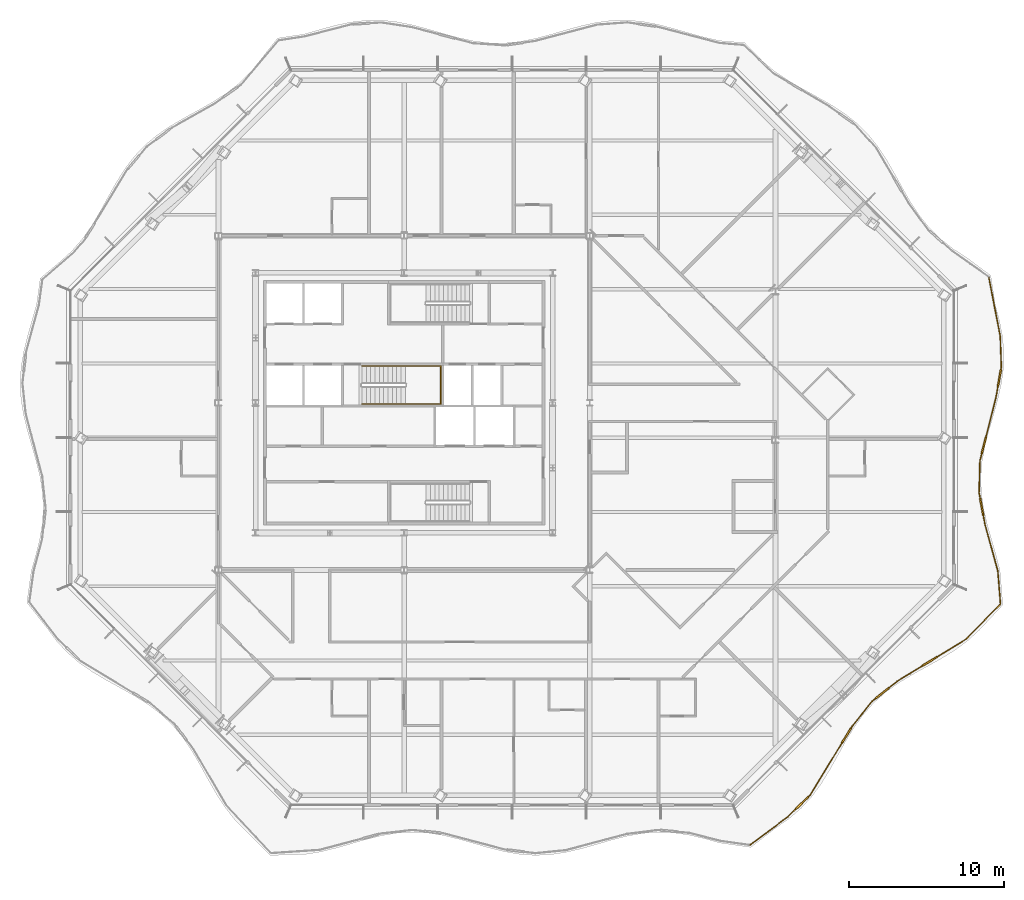
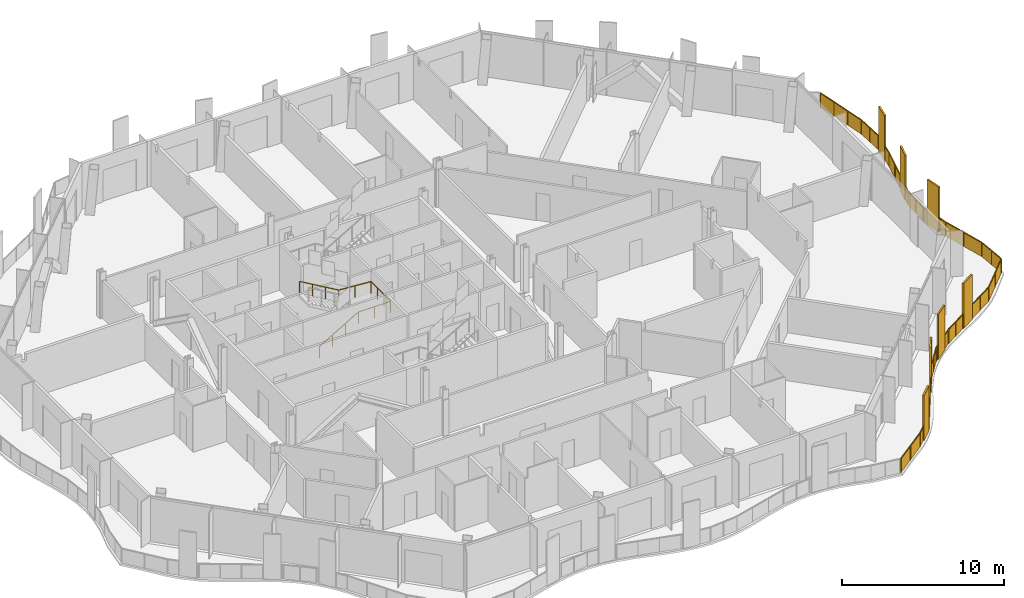
# One storey, part 17 of 19: 3 railings.
"""IFC4 building model written with IfcOpenShell, lengths in metres."""

from ifc_helpers import new_model, si_unit, direction, frame, origin, origin_2d, place, context, subcontext, project, spatial, polyline, rectangle, outline, extrude, material, type_object, element, save


model = new_model("IFC4")

# Units and contexts
model_context = context("Model", 3, precision=1e-05, world=origin(), true_north=direction((0.0, 1.0)))
body_context = subcontext(model_context, "Body", "Model", "MODEL_VIEW")
ifc_project = project(units=[si_unit("LENGTHUNIT", "METRE"), si_unit("AREAUNIT", "SQUARE_METRE"), si_unit("VOLUMEUNIT", "CUBIC_METRE"), si_unit("PLANEANGLEUNIT", "RADIAN"), si_unit("MASSUNIT", "GRAM", prefix="KILO")], contexts=[model_context])

# Site, building, storey
site_placement = place(None, origin())
site = spatial("IfcSite", under=ifc_project, at=site_placement, CompositionType="ELEMENT")
building_placement = place(site_placement, origin())
building = spatial("IfcBuilding", under=site, at=building_placement, Name="Cairn Pilgrim Tower", CompositionType="ELEMENT")
storey_placement = place(building_placement, frame((0.0, 0.0, 197.39990234375)))
storey = spatial("IfcBuildingStorey", under=building, at=storey_placement, Name="L50", CompositionType="ELEMENT", Elevation=197.39990234375)

# Railings
ifc_material_1 = material(Name="Bronze anodised aluminium rail, posts and fin screens with laminated glass infill", Category="aluminium")
railing_type_1 = type_object("IfcRailingType", Name="BALCONY GUARD WITH FIN SCREENS", PredefinedType="GUARDRAIL", material=ifc_material_1)
railing_1_placement = place(storey_placement, frame((29.562744140625, -26.174560546875, 0.0)))
element("IfcRailing", 1, at=railing_1_placement, inside=storey, type_object=railing_type_1, Name="Balcony guard BGF-2 with fin screens", PredefinedType="GUARDRAIL", context=body_context, shape_type="SweptSolid", body=[
    extrude(rectangle(XDim=0.050048828125, YDim=0.050048828125, at=origin_2d()), frame((0.0, 0.0, 1.0751953125), z_axis=(0.800667870418, 0.599108472048, 0.0), x_axis=(-0.599108472048, 0.800667870418, 0.0)), (0.0, 0.0, 1.0), 3.0244140625),
    extrude(rectangle(XDim=1.10009765625, YDim=0.110107421875, at=origin_2d()), frame((3.361572265625, 2.7216796875, 0.0), z_axis=(0.0, 0.0, 1.0), x_axis=(0.718621739595, 0.695401175856, 0.0)), (0.0, 0.0, 1.0), 3.39990234375),
    extrude(rectangle(XDim=0.050048828125, YDim=0.050048828125, at=origin_2d()), frame((2.421630859375, 1.81201171875, 1.0751953125), z_axis=(0.718621739595, 0.695401175856, 0.0), x_axis=(-0.695401175856, 0.718621739595, 0.0)), (0.0, 0.0, 1.0), 0.758056640625),
    extrude(rectangle(XDim=0.050048828125, YDim=0.050048828125, at=origin_2d()), frame((3.7568359375, 3.104248046875, 1.0751953125), z_axis=(0.718621739595, 0.695401175856, 0.0), x_axis=(-0.695401175856, 0.718621739595, 0.0)), (0.0, 0.0, 1.0), 0.150146484375),
    extrude(rectangle(XDim=1.10009765625, YDim=0.110107421875, at=origin_2d()), frame((6.2255859375, 7.072021484375, 0.0), z_axis=(0.0, 0.0, 1.0), x_axis=(0.521408450848, 0.853307229188, 0.0)), (0.0, 0.0, 1.0), 3.39990234375),
    extrude(rectangle(XDim=0.050048828125, YDim=0.050048828125, at=origin_2d()), frame((3.86474609375, 3.20849609375, 1.0751953125), z_axis=(0.521408450848, 0.853307229188, 0.0), x_axis=(-0.853307229188, 0.521408450848, 0.0)), (0.0, 0.0, 1.0), 3.977783203125),
    extrude(rectangle(XDim=0.050048828125, YDim=0.050048828125, at=origin_2d()), frame((6.51220703125, 7.541259765625, 1.0751953125), z_axis=(0.521408450848, 0.853307229188, 0.0), x_axis=(-0.853307229188, 0.521408450848, 0.0)), (0.0, 0.0, 1.0), 0.150146484375),
    extrude(rectangle(XDim=0.050048828125, YDim=0.050048828125, at=origin_2d()), frame((6.590576171875, 7.66943359375, 1.0751953125), z_axis=(0.624336311153, 0.781155663473, 0.0), x_axis=(-0.781155663473, 0.624336311153, 0.0)), (0.0, 0.0, 1.0), 2.0751953125),
    extrude(rectangle(XDim=1.10009765625, YDim=0.110107421875, at=origin_2d()), frame((8.52197265625, 9.798583984375, 0.0), z_axis=(0.0, 0.0, 1.0), x_axis=(0.781201514264, 0.624278939346, 0.0)), (0.0, 0.0, 1.0), 3.39990234375),
    extrude(rectangle(XDim=0.050048828125, YDim=0.050048828125, at=origin_2d()), frame((7.88623046875, 9.29052734375, 1.0751953125), z_axis=(0.781201514264, 0.624278939346, 0.0), x_axis=(-0.624278939346, 0.781201514264, 0.0)), (0.0, 0.0, 1.0), 0.263916015625),
    extrude(rectangle(XDim=0.050048828125, YDim=0.050048828125, at=origin_2d()), frame((8.95166015625, 10.141845703125, 1.0751953125), z_axis=(0.781201514264, 0.624278939346, 0.0), x_axis=(-0.624278939346, 0.781201514264, 0.0)), (0.0, 0.0, 1.0), 0.711669921875),
    extrude(rectangle(XDim=1.10009765625, YDim=0.110107421875, at=origin_2d()), frame((11.601806640625, 11.865966796875, 0.0), z_axis=(0.0, 0.0, 1.0), x_axis=(0.853299147898, 0.521421675994, 0.0)), (0.0, 0.0, 1.0), 3.39990234375),
    extrude(rectangle(XDim=0.050048828125, YDim=0.050048828125, at=origin_2d()), frame((9.507568359375, 10.586181640625, 1.0751953125), z_axis=(0.853299147898, 0.521421675994, 0.0), x_axis=(-0.521421675994, 0.853299147898, 0.0)), (0.0, 0.0, 1.0), 1.904296875),
    extrude(rectangle(XDim=0.050048828125, YDim=0.050048828125, at=origin_2d()), frame((12.071044921875, 12.152587890625, 1.0751953125), z_axis=(0.853299147898, 0.521421675994, 0.0), x_axis=(-0.521421675994, 0.853299147898, 0.0)), (0.0, 0.0, 1.0), 2.223876953125),
    extrude(rectangle(XDim=0.050048828125, YDim=0.050048828125, at=origin_2d()), frame((13.96875, 13.312255859375, 1.0751953125), z_axis=(0.699745389535, 0.714392322064, 0.0), x_axis=(-0.714392322064, 0.699745389535, 0.0)), (0.0, 0.0, 1.0), 3.100341796875),
    extrude(rectangle(XDim=0.050048828125, YDim=0.050048828125, at=origin_2d()), origin(), (0.0, 0.0, 1.0), 1.050048828125),
    extrude(rectangle(XDim=0.050048828125, YDim=0.050048828125, at=origin_2d()), frame((1.2109375, 0.906005859375, 0.0)), (0.0, 0.0, 1.0), 1.050048828125),
    extrude(rectangle(XDim=0.050048828125, YDim=0.050048828125, at=origin_2d()), frame((2.421630859375, 1.81201171875, 0.0)), (0.0, 0.0, 1.0), 1.050048828125),
    extrude(rectangle(XDim=0.050048828125, YDim=0.050048828125, at=origin_2d()), frame((2.948486328125, 2.32177734375, 0.0)), (0.0, 0.0, 1.0), 1.050048828125),
    extrude(rectangle(XDim=0.050048828125, YDim=0.050048828125, at=origin_2d()), frame((3.77490234375, 3.12158203125, 0.0)), (0.0, 0.0, 1.0), 1.050048828125),
    extrude(rectangle(XDim=0.050048828125, YDim=0.050048828125, at=origin_2d()), frame((3.86474609375, 3.20849609375, 0.0)), (0.0, 0.0, 1.0), 1.050048828125),
    extrude(rectangle(XDim=0.050048828125, YDim=0.050048828125, at=origin_2d()), frame((4.5517578125, 4.332763671875, 0.0)), (0.0, 0.0, 1.0), 1.050048828125),
    extrude(rectangle(XDim=0.050048828125, YDim=0.050048828125, at=origin_2d()), frame((5.23876953125, 5.45703125, 0.0)), (0.0, 0.0, 1.0), 1.050048828125),
    extrude(rectangle(XDim=0.050048828125, YDim=0.050048828125, at=origin_2d()), frame((5.92578125, 6.581298828125, 0.0)), (0.0, 0.0, 1.0), 1.050048828125),
    extrude(rectangle(XDim=0.050048828125, YDim=0.050048828125, at=origin_2d()), frame((6.525390625, 7.562744140625, 0.0)), (0.0, 0.0, 1.0), 1.050048828125),
    extrude(rectangle(XDim=0.050048828125, YDim=0.050048828125, at=origin_2d()), frame((6.590576171875, 7.66943359375, 0.0)), (0.0, 0.0, 1.0), 1.050048828125),
    extrude(rectangle(XDim=0.050048828125, YDim=0.050048828125, at=origin_2d()), frame((7.23828125, 8.47998046875, 0.0)), (0.0, 0.0, 1.0), 1.050048828125),
    extrude(rectangle(XDim=0.050048828125, YDim=0.050048828125, at=origin_2d()), frame((7.88623046875, 9.29052734375, 0.0)), (0.0, 0.0, 1.0), 1.050048828125),
    extrude(rectangle(XDim=0.050048828125, YDim=0.050048828125, at=origin_2d()), frame((8.07275390625, 9.439697265625, 0.0)), (0.0, 0.0, 1.0), 1.050048828125),
    extrude(rectangle(XDim=0.050048828125, YDim=0.050048828125, at=origin_2d()), frame((8.97119140625, 10.157470703125, 0.0)), (0.0, 0.0, 1.0), 1.050048828125),
    extrude(rectangle(XDim=0.050048828125, YDim=0.050048828125, at=origin_2d()), frame((9.507568359375, 10.586181640625, 0.0)), (0.0, 0.0, 1.0), 1.050048828125),
    extrude(rectangle(XDim=0.050048828125, YDim=0.050048828125, at=origin_2d()), frame((10.309326171875, 11.076171875, 0.0)), (0.0, 0.0, 1.0), 1.050048828125),
    extrude(rectangle(XDim=0.050048828125, YDim=0.050048828125, at=origin_2d()), frame((11.111083984375, 11.566162109375, 0.0)), (0.0, 0.0, 1.0), 1.050048828125),
    extrude(rectangle(XDim=0.050048828125, YDim=0.050048828125, at=origin_2d()), frame((12.092529296875, 12.165771484375, 0.0)), (0.0, 0.0, 1.0), 1.050048828125),
    extrude(rectangle(XDim=0.050048828125, YDim=0.050048828125, at=origin_2d()), frame((13.030517578125, 12.739013671875, 0.0)), (0.0, 0.0, 1.0), 1.050048828125),
    extrude(rectangle(XDim=0.050048828125, YDim=0.050048828125, at=origin_2d()), frame((13.96875, 13.312255859375, 0.0)), (0.0, 0.0, 1.0), 1.050048828125),
    extrude(rectangle(XDim=0.050048828125, YDim=0.050048828125, at=origin_2d()), frame((15.053466796875, 14.419677734375, 0.0)), (0.0, 0.0, 1.0), 1.050048828125),
    extrude(rectangle(XDim=0.050048828125, YDim=0.050048828125, at=origin_2d()), frame((16.13818359375, 15.527099609375, 0.0)), (0.0, 0.0, 1.0), 1.050048828125),
    extrude(outline(polyline([(0.02490234375, 0.0), (1.4873046875, 0.0), (1.4873046875, 1.050048828125), (0.02490234375, 1.050048828125), (0.02490234375, 0.0)])), frame((-0.003662109375, 0.0048828125, 0.0), z_axis=(0.599108472048, -0.800667870418, 0.0), x_axis=(0.800667870418, 0.599108472048, 0.0)), (0.0, 0.0, 1.0), 0.011962890625),
    extrude(outline(polyline([(0.02490234375, 0.0), (1.4873046875, 0.0), (1.4873046875, 1.050048828125), (0.02490234375, 1.050048828125), (0.02490234375, 0.0)])), frame((1.207275390625, 0.910888671875, 0.0), z_axis=(0.599108472048, -0.800667870418, 0.0), x_axis=(0.800667870418, 0.599108472048, 0.0)), (0.0, 0.0, 1.0), 0.011962890625),
    extrude(outline(polyline([(0.02490234375, 0.0), (0.7080078125, 0.0), (0.7080078125, 1.050048828125), (0.02490234375, 1.050048828125), (0.02490234375, 0.0)])), frame((2.41748046875, 1.81640625, 0.0), z_axis=(0.695401175856, -0.718621739595, 0.0), x_axis=(0.718621739595, 0.695401175856, 0.0)), (0.0, 0.0, 1.0), 0.011962890625),
    extrude(outline(polyline([(0.02490234375, 0.0), (0.10009765625, 0.0), (0.10009765625, 1.050048828125), (0.02490234375, 1.050048828125), (0.02490234375, 0.0)])), frame((3.770751953125, 3.125732421875, 0.0), z_axis=(0.695401175856, -0.718621739595, 0.0), x_axis=(0.718621739595, 0.695401175856, 0.0)), (0.0, 0.0, 1.0), 0.011962890625),
    extrude(outline(polyline([(0.02490234375, 0.0), (1.29248046875, 0.0), (1.29248046875, 1.050048828125), (0.02490234375, 1.050048828125), (0.02490234375, 0.0)])), frame((3.859619140625, 3.211669921875, 0.0), z_axis=(0.853307229188, -0.521408450848, 0.0), x_axis=(0.521408450848, 0.853307229188, 0.0)), (0.0, 0.0, 1.0), 0.011962890625),
    extrude(outline(polyline([(0.02490234375, 0.0), (1.29248046875, 0.0), (1.29248046875, 1.050048828125), (0.02490234375, 1.050048828125), (0.02490234375, 0.0)])), frame((4.546630859375, 4.3359375, 0.0), z_axis=(0.853307229188, -0.521408450848, 0.0), x_axis=(0.521408450848, 0.853307229188, 0.0)), (0.0, 0.0, 1.0), 0.011962890625),
    extrude(outline(polyline([(0.02490234375, 0.0), (1.29248046875, 0.0), (1.29248046875, 1.050048828125), (0.02490234375, 1.050048828125), (0.02490234375, 0.0)])), frame((5.233642578125, 5.460205078125, 0.0), z_axis=(0.853307229188, -0.521408450848, 0.0), x_axis=(0.521408450848, 0.853307229188, 0.0)), (0.0, 0.0, 1.0), 0.011962890625),
    extrude(outline(polyline([(0.02490234375, 0.0), (0.10009765625, 0.0), (0.10009765625, 1.050048828125), (0.02490234375, 1.050048828125), (0.02490234375, 0.0)])), frame((6.520263671875, 7.56591796875, 0.0), z_axis=(0.853307229188, -0.521408450848, 0.0), x_axis=(0.521408450848, 0.853307229188, 0.0)), (0.0, 0.0, 1.0), 0.011962890625),
    extrude(outline(polyline([(0.02490234375, 0.0), (1.0126953125, 0.0), (1.0126953125, 1.050048828125), (0.02490234375, 1.050048828125), (0.02490234375, 0.0)])), frame((6.5859375, 7.673095703125, 0.0), z_axis=(0.781155663473, -0.624336311153, 0.0), x_axis=(0.624336311153, 0.781155663473, 0.0)), (0.0, 0.0, 1.0), 0.011962890625),
    extrude(outline(polyline([(0.02490234375, 0.0), (1.0126953125, 0.0), (1.0126953125, 1.050048828125), (0.02490234375, 1.050048828125), (0.02490234375, 0.0)])), frame((7.233642578125, 8.483642578125, 0.0), z_axis=(0.781155663473, -0.624336311153, 0.0), x_axis=(0.624336311153, 0.781155663473, 0.0)), (0.0, 0.0, 1.0), 0.011962890625),
    extrude(outline(polyline([(0.02490234375, 0.0), (0.2138671875, 0.0), (0.2138671875, 1.050048828125), (0.02490234375, 1.050048828125), (0.02490234375, 0.0)])), frame((7.882568359375, 9.295166015625, 0.0), z_axis=(0.624278939346, -0.781201514264, 0.0), x_axis=(0.781201514264, 0.624278939346, 0.0)), (0.0, 0.0, 1.0), 0.011962890625),
    extrude(outline(polyline([(0.02490234375, 0.0), (0.66162109375, 0.0), (0.66162109375, 1.050048828125), (0.02490234375, 1.050048828125), (0.02490234375, 0.0)])), frame((8.967529296875, 10.162353515625, 0.0), z_axis=(0.624278939346, -0.781201514264, 0.0), x_axis=(0.781201514264, 0.624278939346, 0.0)), (0.0, 0.0, 1.0), 0.011962890625),
    extrude(outline(polyline([(0.02490234375, 0.0), (0.91455078125, 0.0), (0.91455078125, 1.050048828125), (0.02490234375, 1.050048828125), (0.02490234375, 0.0)])), frame((9.50439453125, 10.59130859375, 0.0), z_axis=(0.521421675994, -0.853299147898, 0.0), x_axis=(0.853299147898, 0.521421675994, 0.0)), (0.0, 0.0, 1.0), 0.011962890625),
    extrude(outline(polyline([(0.02490234375, 0.0), (0.91455078125, 0.0), (0.91455078125, 1.050048828125), (0.02490234375, 1.050048828125), (0.02490234375, 0.0)])), frame((10.30615234375, 11.081298828125, 0.0), z_axis=(0.521421675994, -0.853299147898, 0.0), x_axis=(0.853299147898, 0.521421675994, 0.0)), (0.0, 0.0, 1.0), 0.011962890625),
    extrude(outline(polyline([(0.02490234375, 0.0), (1.074462890625, 0.0), (1.074462890625, 1.050048828125), (0.02490234375, 1.050048828125), (0.02490234375, 0.0)])), frame((12.08935546875, 12.1708984375, 0.0), z_axis=(0.521421675994, -0.853299147898, 0.0), x_axis=(0.853299147898, 0.521421675994, 0.0)), (0.0, 0.0, 1.0), 0.011962890625),
    extrude(outline(polyline([(0.02490234375, 0.0), (1.074462890625, 0.0), (1.074462890625, 1.050048828125), (0.02490234375, 1.050048828125), (0.02490234375, 0.0)])), frame((13.027587890625, 12.744140625, 0.0), z_axis=(0.521421675994, -0.853299147898, 0.0), x_axis=(0.853299147898, 0.521421675994, 0.0)), (0.0, 0.0, 1.0), 0.011962890625),
    extrude(outline(polyline([(0.02490234375, 0.0), (1.525146484375, 0.0), (1.525146484375, 1.050048828125), (0.02490234375, 1.050048828125), (0.02490234375, 0.0)])), frame((13.96435546875, 13.31640625, 0.0), z_axis=(0.714392322064, -0.699745389535, 0.0), x_axis=(0.699745389535, 0.714392322064, 0.0)), (0.0, 0.0, 1.0), 0.011962890625),
    extrude(outline(polyline([(0.02490234375, 0.0), (1.525146484375, 0.0), (1.525146484375, 1.050048828125), (0.02490234375, 1.050048828125), (0.02490234375, 0.0)])), frame((15.049072265625, 14.423828125, 0.0), z_axis=(0.714392322064, -0.699745389535, 0.0), x_axis=(0.699745389535, 0.714392322064, 0.0)), (0.0, 0.0, 1.0), 0.011962890625),
])
railing_2_placement = place(storey_placement, frame((45.742919921875, -10.604736328125, 0.0)))
element("IfcRailing", 2, at=railing_2_placement, inside=storey, type_object=railing_type_1, Name="Balcony guard BGF-3 with fin screens", PredefinedType="GUARDRAIL", context=body_context, shape_type="SweptSolid", body=[
    extrude(rectangle(XDim=0.050048828125, YDim=0.050048828125, at=origin_2d()), frame((0.0, 0.0, 1.0751953125), z_axis=(-0.080880010732, 0.996723845337, 0.0), x_axis=(-0.996723845337, -0.080880010732, 0.0)), (0.0, 0.0, 1.0), 2.146240234375),
    extrude(rectangle(XDim=0.050048828125, YDim=0.050048828125, at=origin_2d()), frame((-0.173583984375, 2.13916015625, 1.0751953125), z_axis=(-0.265559861209, 0.964094373034, 0.0), x_axis=(-0.964094373034, -0.265559861209, 0.0)), (0.0, 0.0, 1.0), 3.13671875),
    extrude(rectangle(XDim=1.10009765625, YDim=0.110107421875, at=origin_2d()), frame((-1.21435546875, 6.287841796875, 0.0), z_axis=(0.0, 0.0, 1.0), x_axis=(-0.181697850402, 0.983354407708, 0.0)), (0.0, 0.0, 1.0), 3.39990234375),
    extrude(rectangle(XDim=0.050048828125, YDim=0.050048828125, at=origin_2d()), frame((-1.006591796875, 5.163330078125, 1.0751953125), z_axis=(-0.181697850402, 0.983354407708, 0.0), x_axis=(-0.983354407708, -0.181697850402, 0.0)), (0.0, 0.0, 1.0), 0.593505859375),
    extrude(rectangle(XDim=0.050048828125, YDim=0.050048828125, at=origin_2d()), frame((-1.314208984375, 6.828857421875, 1.0751953125), z_axis=(-0.181697850402, 0.983354407708, 0.0), x_axis=(-0.983354407708, -0.181697850402, 0.0)), (0.0, 0.0, 1.0), 0.3837890625),
    extrude(rectangle(XDim=0.050048828125, YDim=0.050048828125, at=origin_2d()), frame((-1.384033203125, 7.2060546875, 1.0751953125), z_axis=(0.026737940728, 0.999642477352, 0.0), x_axis=(-0.999642477352, 0.026737940728, 0.0)), (0.0, 0.0, 1.0), 2.054443359375),
    extrude(rectangle(XDim=1.10009765625, YDim=0.110107421875, at=origin_2d()), frame((-1.074951171875, 10.261474609375, 0.0), z_axis=(0.0, 0.0, 1.0), x_axis=(0.245982331088, 0.969274312459, 0.0)), (0.0, 0.0, 1.0), 3.39990234375),
    extrude(rectangle(XDim=0.050048828125, YDim=0.050048828125, at=origin_2d()), frame((-1.3291015625, 9.259765625, 1.0751953125), z_axis=(0.245982331088, 0.969274312459, 0.0), x_axis=(-0.969274312459, 0.245982331088, 0.0)), (0.0, 0.0, 1.0), 0.4833984375),
    extrude(rectangle(XDim=0.050048828125, YDim=0.050048828125, at=origin_2d()), frame((-0.939697265625, 10.794677734375, 1.0751953125), z_axis=(0.245982331088, 0.969274312459, 0.0), x_axis=(-0.969274312459, 0.245982331088, 0.0)), (0.0, 0.0, 1.0), 2.597900390625),
    extrude(rectangle(XDim=1.10009765625, YDim=0.110107421875, at=origin_2d()), frame((-0.06787109375, 14.623291015625, 0.0), z_axis=(0.0, 0.0, 1.0), x_axis=(0.174779567013, 0.984607588309, 0.0)), (0.0, 0.0, 1.0), 3.39990234375),
    extrude(rectangle(XDim=0.050048828125, YDim=0.050048828125, at=origin_2d()), frame((-0.300537109375, 13.312744140625, 1.0751953125), z_axis=(0.174779567013, 0.984607588309, 0.0), x_axis=(-0.984607588309, 0.174779567013, 0.0)), (0.0, 0.0, 1.0), 0.781005859375),
    extrude(rectangle(XDim=0.050048828125, YDim=0.050048828125, at=origin_2d()), frame((0.0283203125, 15.164794921875, 1.0751953125), z_axis=(0.174779567013, 0.984607588309, 0.0), x_axis=(-0.984607588309, 0.174779567013, 0.0)), (0.0, 0.0, 1.0), 0.14990234375),
    extrude(rectangle(XDim=0.050048828125, YDim=0.050048828125, at=origin_2d()), frame((0.054443359375, 15.3125, 1.0751953125), z_axis=(-0.03622406725, 0.999343693107, 0.0), x_axis=(-0.999343693107, -0.03622406725, 0.0)), (0.0, 0.0, 1.0), 1.994873046875),
    extrude(rectangle(XDim=0.050048828125, YDim=0.050048828125, at=origin_2d()), frame((-0.017822265625, 17.30615234375, 1.0751953125), z_axis=(-0.189567572533, 0.981867677156, 0.0), x_axis=(-0.981867677156, -0.189567572533, 0.0)), (0.0, 0.0, 1.0), 3.85986328125),
    extrude(rectangle(XDim=0.050048828125, YDim=0.050048828125, at=origin_2d()), origin(), (0.0, 0.0, 1.0), 1.050048828125),
    extrude(rectangle(XDim=0.050048828125, YDim=0.050048828125, at=origin_2d()), frame((-0.0869140625, 1.069580078125, 0.0)), (0.0, 0.0, 1.0), 1.050048828125),
    extrude(rectangle(XDim=0.050048828125, YDim=0.050048828125, at=origin_2d()), frame((-0.173583984375, 2.13916015625, 0.0)), (0.0, 0.0, 1.0), 1.050048828125),
    extrude(rectangle(XDim=0.050048828125, YDim=0.050048828125, at=origin_2d()), frame((-0.590087890625, 3.6513671875, 0.0)), (0.0, 0.0, 1.0), 1.050048828125),
    extrude(rectangle(XDim=0.050048828125, YDim=0.050048828125, at=origin_2d()), frame((-1.006591796875, 5.163330078125, 0.0)), (0.0, 0.0, 1.0), 1.050048828125),
    extrude(rectangle(XDim=0.050048828125, YDim=0.050048828125, at=origin_2d()), frame((-1.10986328125, 5.722412109375, 0.0)), (0.0, 0.0, 1.0), 1.050048828125),
    extrude(rectangle(XDim=0.050048828125, YDim=0.050048828125, at=origin_2d()), frame((-1.31884765625, 6.853271484375, 0.0)), (0.0, 0.0, 1.0), 1.050048828125),
    extrude(rectangle(XDim=0.050048828125, YDim=0.050048828125, at=origin_2d()), frame((-1.384033203125, 7.2060546875, 0.0)), (0.0, 0.0, 1.0), 1.050048828125),
    extrude(rectangle(XDim=0.050048828125, YDim=0.050048828125, at=origin_2d()), frame((-1.3564453125, 8.23291015625, 0.0)), (0.0, 0.0, 1.0), 1.050048828125),
    extrude(rectangle(XDim=0.050048828125, YDim=0.050048828125, at=origin_2d()), frame((-1.3291015625, 9.259765625, 0.0)), (0.0, 0.0, 1.0), 1.050048828125),
    extrude(rectangle(XDim=0.050048828125, YDim=0.050048828125, at=origin_2d()), frame((-1.21630859375, 9.7041015625, 0.0)), (0.0, 0.0, 1.0), 1.050048828125),
    extrude(rectangle(XDim=0.050048828125, YDim=0.050048828125, at=origin_2d()), frame((-0.933349609375, 10.81884765625, 0.0)), (0.0, 0.0, 1.0), 1.050048828125),
    extrude(rectangle(XDim=0.050048828125, YDim=0.050048828125, at=origin_2d()), frame((-0.616943359375, 12.065673828125, 0.0)), (0.0, 0.0, 1.0), 1.050048828125),
    extrude(rectangle(XDim=0.050048828125, YDim=0.050048828125, at=origin_2d()), frame((-0.300537109375, 13.312744140625, 0.0)), (0.0, 0.0, 1.0), 1.050048828125),
    extrude(rectangle(XDim=0.050048828125, YDim=0.050048828125, at=origin_2d()), frame((-0.16845703125, 14.05712890625, 0.0)), (0.0, 0.0, 1.0), 1.050048828125),
    extrude(rectangle(XDim=0.050048828125, YDim=0.050048828125, at=origin_2d()), frame((0.03271484375, 15.189453125, 0.0)), (0.0, 0.0, 1.0), 1.050048828125),
    extrude(rectangle(XDim=0.050048828125, YDim=0.050048828125, at=origin_2d()), frame((0.054443359375, 15.3125, 0.0)), (0.0, 0.0, 1.0), 1.050048828125),
    extrude(rectangle(XDim=0.050048828125, YDim=0.050048828125, at=origin_2d()), frame((0.018310546875, 16.309326171875, 0.0)), (0.0, 0.0, 1.0), 1.050048828125),
    extrude(rectangle(XDim=0.050048828125, YDim=0.050048828125, at=origin_2d()), frame((-0.017822265625, 17.30615234375, 0.0)), (0.0, 0.0, 1.0), 1.050048828125),
    extrude(rectangle(XDim=0.050048828125, YDim=0.050048828125, at=origin_2d()), frame((-0.26171875, 18.5693359375, 0.0)), (0.0, 0.0, 1.0), 1.050048828125),
    extrude(rectangle(XDim=0.050048828125, YDim=0.050048828125, at=origin_2d()), frame((-0.505615234375, 19.832763671875, 0.0)), (0.0, 0.0, 1.0), 1.050048828125),
    extrude(rectangle(XDim=0.050048828125, YDim=0.050048828125, at=origin_2d()), frame((-0.74951171875, 21.095947265625, 0.0)), (0.0, 0.0, 1.0), 1.050048828125),
    extrude(outline(polyline([(0.02490234375, 0.0), (1.048095703125, 0.0), (1.048095703125, 1.050048828125), (0.02490234375, 1.050048828125), (0.02490234375, 0.0)])), frame((-0.005859375, -0.00048828125, 0.0), z_axis=(0.996723845337, 0.080880010732, 0.0), x_axis=(-0.080880010732, 0.996723845337, 0.0)), (0.0, 0.0, 1.0), 0.011962890625),
    extrude(outline(polyline([(0.02490234375, 0.0), (1.048095703125, 0.0), (1.048095703125, 1.050048828125), (0.02490234375, 1.050048828125), (0.02490234375, 0.0)])), frame((-0.0927734375, 1.069091796875, 0.0), z_axis=(0.996723845337, 0.080880010732, 0.0), x_axis=(-0.080880010732, 0.996723845337, 0.0)), (0.0, 0.0, 1.0), 0.011962890625),
    extrude(outline(polyline([(0.02490234375, 0.0), (1.54345703125, 0.0), (1.54345703125, 1.050048828125), (0.02490234375, 1.050048828125), (0.02490234375, 0.0)])), frame((-0.179443359375, 2.137451171875, 0.0), z_axis=(0.964094373034, 0.265559861209, 0.0), x_axis=(-0.265559861209, 0.964094373034, 0.0)), (0.0, 0.0, 1.0), 0.011962890625),
    extrude(outline(polyline([(0.02490234375, 0.0), (1.54345703125, 0.0), (1.54345703125, 1.050048828125), (0.02490234375, 1.050048828125), (0.02490234375, 0.0)])), frame((-0.595947265625, 3.649658203125, 0.0), z_axis=(0.964094373034, 0.265559861209, 0.0), x_axis=(-0.265559861209, 0.964094373034, 0.0)), (0.0, 0.0, 1.0), 0.011962890625),
    extrude(outline(polyline([(0.02490234375, 0.0), (0.54345703125, 0.0), (0.54345703125, 1.050048828125), (0.02490234375, 1.050048828125), (0.02490234375, 0.0)])), frame((-1.012451171875, 5.162353515625, 0.0), z_axis=(0.983354407708, 0.181697850402, 0.0), x_axis=(-0.181697850402, 0.983354407708, 0.0)), (0.0, 0.0, 1.0), 0.011962890625),
    extrude(outline(polyline([(0.02490234375, 0.0), (0.333740234375, 0.0), (0.333740234375, 1.050048828125), (0.02490234375, 1.050048828125), (0.02490234375, 0.0)])), frame((-1.32470703125, 6.852294921875, 0.0), z_axis=(0.983354407708, 0.181697850402, 0.0), x_axis=(-0.181697850402, 0.983354407708, 0.0)), (0.0, 0.0, 1.0), 0.011962890625),
    extrude(outline(polyline([(0.02490234375, 0.0), (1.002197265625, 0.0), (1.002197265625, 1.050048828125), (0.02490234375, 1.050048828125), (0.02490234375, 0.0)])), frame((-1.389892578125, 7.206298828125, 0.0), z_axis=(0.999642477352, -0.026737940728, 0.0), x_axis=(0.026737940728, 0.999642477352, 0.0)), (0.0, 0.0, 1.0), 0.011962890625),
    extrude(outline(polyline([(0.02490234375, 0.0), (1.002197265625, 0.0), (1.002197265625, 1.050048828125), (0.02490234375, 1.050048828125), (0.02490234375, 0.0)])), frame((-1.362548828125, 8.233154296875, 0.0), z_axis=(0.999642477352, -0.026737940728, 0.0), x_axis=(0.026737940728, 0.999642477352, 0.0)), (0.0, 0.0, 1.0), 0.011962890625),
    extrude(outline(polyline([(0.02490234375, 0.0), (0.433349609375, 0.0), (0.433349609375, 1.050048828125), (0.02490234375, 1.050048828125), (0.02490234375, 0.0)])), frame((-1.3349609375, 9.26123046875, 0.0), z_axis=(0.969274312459, -0.245982331088, 0.0), x_axis=(0.245982331088, 0.969274312459, 0.0)), (0.0, 0.0, 1.0), 0.011962890625),
    extrude(outline(polyline([(0.02490234375, 0.0), (1.261474609375, 0.0), (1.261474609375, 1.050048828125), (0.02490234375, 1.050048828125), (0.02490234375, 0.0)])), frame((-0.939208984375, 10.8203125, 0.0), z_axis=(0.969274312459, -0.245982331088, 0.0), x_axis=(0.245982331088, 0.969274312459, 0.0)), (0.0, 0.0, 1.0), 0.011962890625),
    extrude(outline(polyline([(0.02490234375, 0.0), (1.261474609375, 0.0), (1.261474609375, 1.050048828125), (0.02490234375, 1.050048828125), (0.02490234375, 0.0)])), frame((-0.622802734375, 12.067138671875, 0.0), z_axis=(0.969274312459, -0.245982331088, 0.0), x_axis=(0.245982331088, 0.969274312459, 0.0)), (0.0, 0.0, 1.0), 0.011962890625),
    extrude(outline(polyline([(0.02490234375, 0.0), (0.73095703125, 0.0), (0.73095703125, 1.050048828125), (0.02490234375, 1.050048828125), (0.02490234375, 0.0)])), frame((-0.306396484375, 13.313720703125, 0.0), z_axis=(0.984607588309, -0.174779567013, 0.0), x_axis=(0.174779567013, 0.984607588309, 0.0)), (0.0, 0.0, 1.0), 0.011962890625),
    extrude(outline(polyline([(0.02490234375, 0.0), (0.099853515625, 0.0), (0.099853515625, 1.050048828125), (0.02490234375, 1.050048828125), (0.02490234375, 0.0)])), frame((0.026611328125, 15.1904296875, 0.0), z_axis=(0.984607588309, -0.174779567013, 0.0), x_axis=(0.174779567013, 0.984607588309, 0.0)), (0.0, 0.0, 1.0), 0.011962890625),
    extrude(outline(polyline([(0.02490234375, 0.0), (0.972412109375, 0.0), (0.972412109375, 1.050048828125), (0.02490234375, 1.050048828125), (0.02490234375, 0.0)])), frame((0.048583984375, 15.312255859375, 0.0), z_axis=(0.999343693107, 0.03622406725, 0.0), x_axis=(-0.03622406725, 0.999343693107, 0.0)), (0.0, 0.0, 1.0), 0.011962890625),
    extrude(outline(polyline([(0.02490234375, 0.0), (0.972412109375, 0.0), (0.972412109375, 1.050048828125), (0.02490234375, 1.050048828125), (0.02490234375, 0.0)])), frame((0.012451171875, 16.30908203125, 0.0), z_axis=(0.999343693107, 0.03622406725, 0.0), x_axis=(-0.03622406725, 0.999343693107, 0.0)), (0.0, 0.0, 1.0), 0.011962890625),
    extrude(outline(polyline([(0.02490234375, 0.0), (1.261474609375, 0.0), (1.261474609375, 1.050048828125), (0.02490234375, 1.050048828125), (0.02490234375, 0.0)])), frame((-0.023681640625, 17.304931640625, 0.0), z_axis=(0.981867677156, 0.189567572533, 0.0), x_axis=(-0.189567572533, 0.981867677156, 0.0)), (0.0, 0.0, 1.0), 0.011962890625),
    extrude(outline(polyline([(0.02490234375, 0.0), (1.261474609375, 0.0), (1.261474609375, 1.050048828125), (0.02490234375, 1.050048828125), (0.02490234375, 0.0)])), frame((-0.267578125, 18.568359375, 0.0), z_axis=(0.981867677156, 0.189567572533, 0.0), x_axis=(-0.189567572533, 0.981867677156, 0.0)), (0.0, 0.0, 1.0), 0.011962890625),
    extrude(outline(polyline([(0.02490234375, 0.0), (1.261474609375, 0.0), (1.261474609375, 1.050048828125), (0.02490234375, 1.050048828125), (0.02490234375, 0.0)])), frame((-0.511474609375, 19.83154296875, 0.0), z_axis=(0.981867677156, 0.189567572533, 0.0), x_axis=(-0.189567572533, 0.981867677156, 0.0)), (0.0, 0.0, 1.0), 0.011962890625),
])
ifc_material_2 = material(Name="Painted steel", Category="steel")
railing_type_2 = type_object("IfcRailingType", Name="STAIR HANDRAIL 900", PredefinedType="HANDRAIL", material=ifc_material_2)
railing_3_placement = place(storey_placement, frame((4.47509765625, 2.324951171875, 0.163818359375)))
element("IfcRailing", 3, at=railing_3_placement, inside=storey, type_object=railing_type_2, Name="L50 ST-B stair handrail 1", PredefinedType="HANDRAIL", context=body_context, shape_type="SweptSolid", body=[
    extrude(rectangle(XDim=0.048095703125, YDim=0.048095703125, at=origin_2d()), frame((0.0, 0.0, 0.8759765625), z_axis=(0.863374499697, 0.0, 0.504563646405), x_axis=(0.0, 1.0, 0.0)), (0.0, 0.0, 1.0), 3.242919921875),
    extrude(rectangle(XDim=0.048095703125, YDim=0.048095703125, at=origin_2d()), frame((2.7998046875, 0.0, 2.51220703125), z_axis=(1.0, 0.0, 0.0), x_axis=(0.0, 1.0, 0.0)), (0.0, 0.0, 1.0), 2.300048828125),
    extrude(rectangle(XDim=0.048095703125, YDim=0.048095703125, at=origin_2d()), frame((5.099853515625, 0.0, 2.51220703125), z_axis=(0.0, 1.0, 0.0), x_axis=(-1.0, 0.0, 0.0)), (0.0, 0.0, 1.0), 2.449951171875),
    extrude(rectangle(XDim=0.048095703125, YDim=0.048095703125, at=origin_2d()), frame((5.099853515625, 2.449951171875, 2.51220703125), z_axis=(-0.997480687736, 0.0, 0.070938548008), x_axis=(0.0, -1.0, 0.0)), (0.0, 0.0, 1.0), 2.305908203125),
    extrude(rectangle(XDim=0.048095703125, YDim=0.048095703125, at=origin_2d()), frame((2.7998046875, 2.449951171875, 2.67578125), z_axis=(-0.863341702679, 0.0, 0.504619762213), x_axis=(0.0, -1.0, 0.0)), (0.0, 0.0, 1.0), 3.242919921875),
    extrude(rectangle(XDim=0.0419921875, YDim=0.0419921875, at=origin_2d()), origin(), (0.0, 0.0, 1.0), 0.851806640625),
    extrude(rectangle(XDim=0.0419921875, YDim=0.0419921875, at=origin_2d()), frame((0.933349609375, 0.0, 0.54541015625)), (0.0, 0.0, 1.0), 0.851806640625),
    extrude(rectangle(XDim=0.0419921875, YDim=0.0419921875, at=origin_2d()), frame((1.866455078125, 0.0, 1.0908203125)), (0.0, 0.0, 1.0), 0.851806640625),
    extrude(rectangle(XDim=0.0419921875, YDim=0.0419921875, at=origin_2d()), frame((2.7998046875, 0.0, 1.63623046875)), (0.0, 0.0, 1.0), 0.851806640625),
    extrude(rectangle(XDim=0.0419921875, YDim=0.0419921875, at=origin_2d()), frame((3.94970703125, 0.0, 1.63623046875)), (0.0, 0.0, 1.0), 0.851806640625),
    extrude(rectangle(XDim=0.0419921875, YDim=0.0419921875, at=origin_2d()), frame((5.099853515625, 0.0, 1.63623046875)), (0.0, 0.0, 1.0), 0.851806640625),
    extrude(rectangle(XDim=0.0419921875, YDim=0.0419921875, at=origin_2d()), frame((5.099853515625, 0.816650390625, 1.63623046875)), (0.0, 0.0, 1.0), 0.851806640625),
    extrude(rectangle(XDim=0.0419921875, YDim=0.0419921875, at=origin_2d()), frame((5.099853515625, 1.63330078125, 1.63623046875)), (0.0, 0.0, 1.0), 0.851806640625),
    extrude(rectangle(XDim=0.0419921875, YDim=0.0419921875, at=origin_2d()), frame((5.099853515625, 2.449951171875, 1.63623046875)), (0.0, 0.0, 1.0), 0.851806640625),
    extrude(rectangle(XDim=0.0419921875, YDim=0.0419921875, at=origin_2d()), frame((3.94970703125, 2.449951171875, 1.718017578125)), (0.0, 0.0, 1.0), 0.851806640625),
    extrude(rectangle(XDim=0.0419921875, YDim=0.0419921875, at=origin_2d()), frame((2.7998046875, 2.449951171875, 1.7998046875)), (0.0, 0.0, 1.0), 0.851806640625),
    extrude(rectangle(XDim=0.0419921875, YDim=0.0419921875, at=origin_2d()), frame((1.866455078125, 2.449951171875, 2.34521484375)), (0.0, 0.0, 1.0), 0.851806640625),
    extrude(rectangle(XDim=0.0419921875, YDim=0.0419921875, at=origin_2d()), frame((0.933349609375, 2.449951171875, 2.890869140625)), (0.0, 0.0, 1.0), 0.851806640625),
    extrude(rectangle(XDim=0.0419921875, YDim=0.0419921875, at=origin_2d()), frame((0.0, 2.449951171875, 3.436279296875)), (0.0, 0.0, 1.0), 0.851806640625),
])

save(model, "model.ifc")
